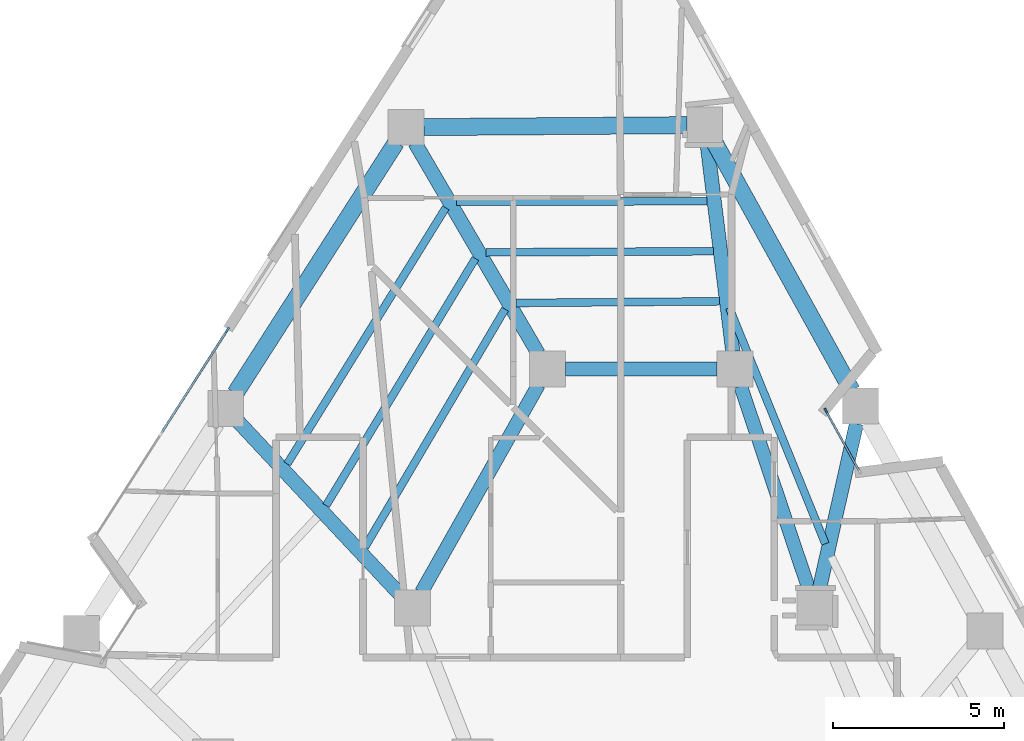
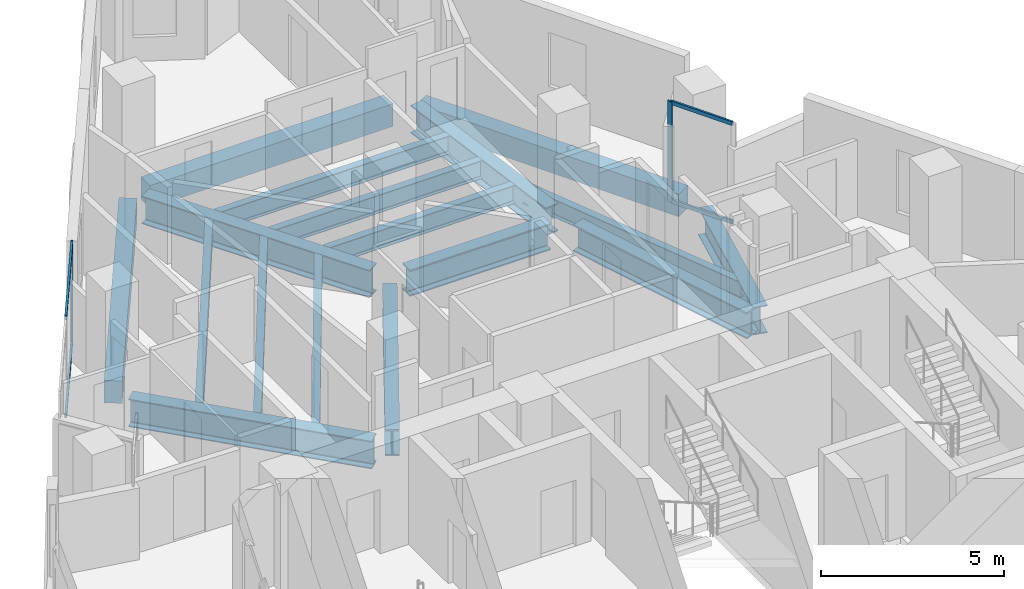
# One storey, part 3 of 11: 17 beams, 6 members, 2 elements without a shape of their own.
"""IFC4 building model written with IfcOpenShell, lengths in metres."""

from ifc_helpers import new_model, si_unit, direction, frame, origin, origin_2d, place, context, subcontext, project, spatial, rectangle, i_section, extrude, material, layer, layer_set, material_profile, profile_set, type_object, element, aggregate, save


model = new_model("IFC4")

# Units and contexts
model_context = context("Model", 3, precision=1e-05, world=origin(), true_north=direction((0.0, 1.0)))
body_context = subcontext(model_context, "Body", "Model", "MODEL_VIEW")
ifc_project = project(units=[si_unit("LENGTHUNIT", "METRE"), si_unit("AREAUNIT", "SQUARE_METRE"), si_unit("VOLUMEUNIT", "CUBIC_METRE"), si_unit("PLANEANGLEUNIT", "RADIAN"), si_unit("MASSUNIT", "GRAM", prefix="KILO")], contexts=[model_context])

# Site, building, storey
site_placement = place(None, origin())
site = spatial("IfcSite", under=ifc_project, at=site_placement, CompositionType="ELEMENT")
building_placement = place(site_placement, origin())
building = spatial("IfcBuilding", under=site, at=building_placement, Name="Almagre Mirador Tower", CompositionType="ELEMENT")
storey_placement = place(building_placement, frame((0.0, 0.0, 168.0)))
storey = spatial("IfcBuildingStorey", under=building, at=storey_placement, Name="L43", CompositionType="ELEMENT", Elevation=168.0)

# Beams
ifc_material_1 = material(Name="Steel ASTM A992 Grade 50", Category="steel")
ifc_material_profile_1 = material_profile(ifc_material_1, i_section(OverallWidth=0.22802734375, OverallDepth=0.60791015625, WebThickness=0.01123046875, FlangeThickness=0.017333984375, FilletRadius=0.02001953125, at=origin_2d()), Name="W24X76")
ifc_profile_set_1 = profile_set([ifc_material_profile_1], Name="Steel ASTM A992 Grade 50")
beam_type_1 = type_object("IfcBeamType", Name="BM-JST-W24X76", PredefinedType="JOIST", material=ifc_profile_set_1)
beam_1_placement = place(storey_placement, frame((45.4990234375, 21.07958984375, -0.553955078125), z_axis=(-0.377145237856, 0.926154128406, 0.0), x_axis=(-0.926154128406, -0.377145237856, 0.0)))
element("IfcBeam", 1, at=beam_1_placement, inside=storey, type_object=beam_type_1, Name="L43 secondary floor joist PC07-PC08.3", PredefinedType="JOIST", context=body_context, shape_type="SweptSolid", body=[
    extrude(i_section(OverallWidth=0.22802734375, OverallDepth=0.60791015625, WebThickness=0.01123046875, FlangeThickness=0.017333984375, FilletRadius=0.02001953125, at=origin_2d()), origin(), (0.0, 0.0, 1.0), 7.46630859375),
])
beam_2_placement = place(storey_placement, frame((42.032958984375, 31.121826171875, -0.553955078125), z_axis=(-0.999997444767, -0.002260632521, 0.0), x_axis=(0.002260632521, -0.999997444767, 0.0)))
element("IfcBeam", 2, at=beam_2_placement, inside=storey, type_object=beam_type_1, Name="L43 secondary floor joist PC08-PC09.1", PredefinedType="JOIST", context=body_context, shape_type="SweptSolid", body=[
    extrude(i_section(OverallWidth=0.22802734375, OverallDepth=0.60791015625, WebThickness=0.01123046875, FlangeThickness=0.017333984375, FilletRadius=0.02001953125, at=origin_2d()), origin(), (0.0, 0.0, 1.0), 7.34375),
])
beam_3_placement = place(storey_placement, frame((42.214111328125, 29.654296875, -0.553955078125), z_axis=(-0.999988103405, -0.004877811845, 0.0), x_axis=(0.004877811845, -0.999988103405, 0.0)))
element("IfcBeam", 3, at=beam_3_placement, inside=storey, type_object=beam_type_1, Name="L43 secondary floor joist PC08-PC09.2", PredefinedType="JOIST", context=body_context, shape_type="SweptSolid", body=[
    extrude(i_section(OverallWidth=0.22802734375, OverallDepth=0.60791015625, WebThickness=0.01123046875, FlangeThickness=0.017333984375, FilletRadius=0.02001953125, at=origin_2d()), origin(), (0.0, 0.0, 1.0), 6.65673828125),
])
beam_4_placement = place(storey_placement, frame((42.3955078125, 28.186279296875, -0.553955078125), z_axis=(-0.999968205338, -0.007974228113, 0.0), x_axis=(0.007974228113, -0.999968205338, 0.0)))
element("IfcBeam", 4, at=beam_4_placement, inside=storey, type_object=beam_type_1, Name="L43 secondary floor joist PC08-PC09.3", PredefinedType="JOIST", context=body_context, shape_type="SweptSolid", body=[
    extrude(i_section(OverallWidth=0.22802734375, OverallDepth=0.60791015625, WebThickness=0.01123046875, FlangeThickness=0.017333984375, FilletRadius=0.02001953125, at=origin_2d()), origin(), (0.0, 0.0, 1.0), 5.97021484375),
])
beam_5_placement = place(storey_placement, frame((34.3701171875, 30.927001953125, -0.553955078125), z_axis=(-0.526297490508, -0.850300506577, 0.0), x_axis=(0.850300506577, -0.526297490508, 0.0)))
element("IfcBeam", 5, at=beam_5_placement, inside=storey, type_object=beam_type_1, Name="L43 secondary floor joist PC09-PC10.1", PredefinedType="JOIST", context=body_context, shape_type="SweptSolid", body=[
    extrude(i_section(OverallWidth=0.22802734375, OverallDepth=0.60791015625, WebThickness=0.01123046875, FlangeThickness=0.017333984375, FilletRadius=0.02001953125, at=origin_2d()), origin(), (0.0, 0.0, 1.0), 8.828125),
])
beam_6_placement = place(storey_placement, frame((35.240234375, 29.44189453125, -0.553955078125), z_axis=(-0.5172600995, -0.855828247644, 0.0), x_axis=(0.855828247644, -0.5172600995, 0.0)))
element("IfcBeam", 6, at=beam_6_placement, inside=storey, type_object=beam_type_1, Name="L43 secondary floor joist PC09-PC10.2", PredefinedType="JOIST", context=body_context, shape_type="SweptSolid", body=[
    extrude(i_section(OverallWidth=0.22802734375, OverallDepth=0.60791015625, WebThickness=0.01123046875, FlangeThickness=0.017333984375, FilletRadius=0.02001953125, at=origin_2d()), origin(), (0.0, 0.0, 1.0), 8.4599609375),
])
beam_7_placement = place(storey_placement, frame((36.110595703125, 27.956787109375, -0.553955078125), z_axis=(-0.507370781605, -0.861727851455, 0.0), x_axis=(0.861727851455, -0.507370781605, 0.0)))
element("IfcBeam", 7, at=beam_7_placement, inside=storey, type_object=beam_type_1, Name="L43 secondary floor joist PC09-PC10.3", PredefinedType="JOIST", context=body_context, shape_type="SweptSolid", body=[
    extrude(i_section(OverallWidth=0.22802734375, OverallDepth=0.60791015625, WebThickness=0.01123046875, FlangeThickness=0.017333984375, FilletRadius=0.02001953125, at=origin_2d()), origin(), (0.0, 0.0, 1.0), 8.092529296875),
])
ifc_material_2 = material(Name="Precast concrete C50/60", Category="concrete")
ifc_material_profile_2 = material_profile(ifc_material_2, rectangle(XDim=0.5, YDim=0.75, at=origin_2d()), Name="RC500X750")
ifc_profile_set_2 = profile_set([ifc_material_profile_2], Name="Precast concrete C50/60")
beam_type_2 = type_object("IfcBeamType", Name="BM-SPN-RC500X750", PredefinedType="SPANDREL", material=ifc_profile_set_2)
beam_8_placement = place(storey_placement, frame((46.271728515625, 25.574462890625, -0.625), z_axis=(-0.484205406649, 0.874954355479, 0.0), x_axis=(-0.874954355479, -0.484205406649, 0.0)))
element("IfcBeam", 8, at=beam_8_placement, inside=storey, type_object=beam_type_2, Name="L43 perimeter spandrel beam PC07-PC08", PredefinedType="SPANDREL", context=body_context, shape_type="SweptSolid", body=[
    extrude(rectangle(XDim=0.5, YDim=0.75, at=origin_2d()), origin(), (0.0, 0.0, 1.0), 8.367431640625),
])
beam_9_placement = place(storey_placement, frame((41.44091796875, 33.35107421875, -0.625), z_axis=(-0.999971631183, -0.007532385372, 0.0), x_axis=(0.007532385372, -0.999971631183, 0.0)))
element("IfcBeam", 9, at=beam_9_placement, inside=storey, type_object=beam_type_2, Name="L43 perimeter spandrel beam PC08-PC09", PredefinedType="SPANDREL", context=body_context, shape_type="SweptSolid", body=[
    extrude(rectangle(XDim=0.5, YDim=0.75, at=origin_2d()), origin(), (0.0, 0.0, 1.0), 7.714111328125),
])
beam_10_placement = place(storey_placement, frame((32.918701171875, 32.846923828125, -0.625), z_axis=(-0.539525433851, -0.841969302426, 0.0), x_axis=(0.841969302426, -0.539525433851, 0.0)))
element("IfcBeam", 10, at=beam_10_placement, inside=storey, type_object=beam_type_2, Name="L43 perimeter spandrel beam PC09-PC10", PredefinedType="SPANDREL", context=body_context, shape_type="SweptSolid", body=[
    extrude(rectangle(XDim=0.5, YDim=0.75, at=origin_2d()), origin(), (0.0, 0.0, 1.0), 8.736572265625),
])
ifc_material_3 = material(Name="Steel ASTM A992 Grade 50", Category="steel")
ifc_material_profile_3 = material_profile(ifc_material_3, i_section(OverallWidth=0.404052734375, OverallDepth=0.884033203125, WebThickness=0.0244140625, FlangeThickness=0.0439453125, FilletRadius=0.02490234375, at=origin_2d()), Name="W33X291")
ifc_profile_set_3 = profile_set([ifc_material_profile_3], Name="Steel ASTM A992 Grade 50")
beam_type_3 = type_object("IfcBeamType", Name="BM-STL-W33X291", PredefinedType="BEAM", material=ifc_profile_set_3)
beam_11_placement = place(storey_placement, frame((37.875, 26.199951171875, -0.69189453125), z_axis=(1.0, 0.0, 0.0), x_axis=(0.0, 1.0, 0.0)))
element("IfcBeam", 11, at=beam_11_placement, inside=storey, type_object=beam_type_3, Name="L43 core tie girder MC7-MC6", PredefinedType="BEAM", context=body_context, shape_type="SweptSolid", body=[
    extrude(i_section(OverallWidth=0.404052734375, OverallDepth=0.884033203125, WebThickness=0.0244140625, FlangeThickness=0.0439453125, FilletRadius=0.02490234375, at=origin_2d()), origin(), (0.0, 0.0, 1.0), 4.449951171875),
])
beam_12_placement = place(storey_placement, frame((43.01708984375, 25.702392578125, -0.69189453125), z_axis=(0.318262189587, -0.948002731367, 0.0), x_axis=(0.948002731367, 0.318262189587, 0.0)))
element("IfcBeam", 12, at=beam_12_placement, inside=storey, type_object=beam_type_3, Name="L43 core tie girder MC6-MC5", PredefinedType="BEAM", context=body_context, shape_type="SweptSolid", body=[
    extrude(i_section(OverallWidth=0.404052734375, OverallDepth=0.884033203125, WebThickness=0.0244140625, FlangeThickness=0.0439453125, FilletRadius=0.02490234375, at=origin_2d()), origin(), (0.0, 0.0, 1.0), 6.333984375),
])
beam_13_placement = place(storey_placement, frame((37.092041015625, 25.742919921875, -0.69189453125), z_axis=(-0.491443510044, -0.870909453638, 0.0), x_axis=(0.870909453638, -0.491443510044, 0.0)))
element("IfcBeam", 13, at=beam_13_placement, inside=storey, type_object=beam_type_3, Name="L43 core tie girder MC7-MC8", PredefinedType="BEAM", context=body_context, shape_type="SweptSolid", body=[
    extrude(i_section(OverallWidth=0.404052734375, OverallDepth=0.884033203125, WebThickness=0.0244140625, FlangeThickness=0.0439453125, FilletRadius=0.02490234375, at=origin_2d()), origin(), (0.0, 0.0, 1.0), 6.98779296875),
])
ifc_material_4 = material(Name="Steel ASTM A992 Grade 50", Category="steel")
ifc_material_profile_4 = material_profile(ifc_material_4, i_section(OverallWidth=0.41796875, OverallDepth=0.927001953125, WebThickness=0.019287109375, FlangeThickness=0.031982421875, FilletRadius=0.028076171875, at=origin_2d()), Name="W36X231")
ifc_profile_set_4 = profile_set([ifc_material_profile_4], Name="Steel ASTM A992 Grade 50")
beam_type_4 = type_object("IfcBeamType", Name="BM-STL-W36X231", PredefinedType="BEAM", material=ifc_profile_set_4)
beam_14_placement = place(storey_placement, frame((46.4111328125, 24.602783203125, -0.71337890625), z_axis=(-0.21877143467, -0.975776131791, 0.0), x_axis=(0.975776131791, -0.21877143467, 0.0)))
element("IfcBeam", 14, at=beam_14_placement, inside=storey, type_object=beam_type_4, Name="L43 radial floor girder PC07-MC5", PredefinedType="BEAM", context=body_context, shape_type="SweptSolid", body=[
    extrude(i_section(OverallWidth=0.41796875, OverallDepth=0.927001953125, WebThickness=0.019287109375, FlangeThickness=0.031982421875, FilletRadius=0.028076171875, at=origin_2d()), origin(), (0.0, 0.0, 1.0), 5.01171875),
])
beam_15_placement = place(storey_placement, frame((42.030517578125, 32.833984375, -0.71337890625), z_axis=(0.122595496619, -0.99245672158, 0.0), x_axis=(0.99245672158, 0.122595496619, 0.0)))
element("IfcBeam", 15, at=beam_15_placement, inside=storey, type_object=beam_type_4, Name="L43 radial floor girder PC08-MC6", PredefinedType="BEAM", context=body_context, shape_type="SweptSolid", body=[
    extrude(i_section(OverallWidth=0.41796875, OverallDepth=0.927001953125, WebThickness=0.019287109375, FlangeThickness=0.031982421875, FilletRadius=0.028076171875, at=origin_2d()), origin(), (0.0, 0.0, 1.0), 6.159423828125),
])
beam_16_placement = place(storey_placement, frame((33.467041015625, 32.8359375, -0.71337890625), z_axis=(0.50504237399, -0.863094548977, 0.0), x_axis=(0.863094548977, 0.50504237399, 0.0)))
element("IfcBeam", 16, at=beam_16_placement, inside=storey, type_object=beam_type_4, Name="L43 radial floor girder PC09-MC7", PredefinedType="BEAM", context=body_context, shape_type="SweptSolid", body=[
    extrude(i_section(OverallWidth=0.41796875, OverallDepth=0.927001953125, WebThickness=0.019287109375, FlangeThickness=0.031982421875, FilletRadius=0.028076171875, at=origin_2d()), origin(), (0.0, 0.0, 1.0), 7.16357421875),
])
beam_17_placement = place(storey_placement, frame((28.281005859375, 24.665771484375, -0.71337890625), z_axis=(0.683570174234, -0.729884797004, 0.0), x_axis=(0.729884797004, 0.683570174234, 0.0)))
element("IfcBeam", 17, at=beam_17_placement, inside=storey, type_object=beam_type_4, Name="L43 radial floor girder PC10-MC8", PredefinedType="BEAM", context=body_context, shape_type="SweptSolid", body=[
    extrude(i_section(OverallWidth=0.41796875, OverallDepth=0.927001953125, WebThickness=0.019287109375, FlangeThickness=0.031982421875, FilletRadius=0.028076171875, at=origin_2d()), origin(), (0.0, 0.0, 1.0), 6.96337890625),
])

# Curtain wall, member
ifc_material_5 = material(Name="Black anodized aluminium", Category="aluminium")
ifc_layer_1 = layer(ifc_material_5, 0.169921875)
ifc_layer_set_1 = layer_set([ifc_layer_1], Name="Black anodized aluminium")
curtain_wall_type_1 = type_object("IfcCurtainWallType", Name="CW-CRS-SYS", PredefinedType="NOTDEFINED", material=ifc_layer_set_1)
curtain_wall_1_placement = place(storey_placement, origin())
curtain_wall_1 = element("IfcCurtainWall", 18, at=curtain_wall_1_placement, inside=storey, type_object=curtain_wall_type_1, Name="L43 vertical crease curtain wall 03", PredefinedType="NOTDEFINED")
ifc_material_6 = material(Name="Black anodized aluminium", Category="aluminium")
ifc_material_profile_5 = material_profile(ifc_material_6, rectangle(XDim=0.06005859375, YDim=0.14990234375, at=origin_2d()), Name="CWM60X150")
ifc_profile_set_5 = profile_set([ifc_material_profile_5], Name="Black anodized aluminium")
member_type_1 = type_object("IfcMemberType", Name="MBR-CWM60X150", PredefinedType="MULLION", material=ifc_profile_set_5)
member_1_placement = place(storey_placement, frame((45.513427734375, 24.982666015625, 0.0), z_axis=(0.0, 0.0, 1.0), x_axis=(0.874878722341, 0.48434204979, 0.0)))
member_1 = element("IfcMember", 19, at=member_1_placement, type_object=member_type_1, Name="CW-4 mullion 1", PredefinedType="MULLION", context=body_context, shape_type="SweptSolid", body=[
    extrude(rectangle(XDim=0.06005859375, YDim=0.14990234375, at=origin_2d()), origin(), (0.0, 0.0, 1.0), 3.35009765625),
])

ifc_material_7 = material(Name="Black anodized aluminium", Category="aluminium")
ifc_layer_2 = layer(ifc_material_7, 0.199951171875)
ifc_layer_set_2 = layer_set([ifc_layer_2], Name="Black anodized aluminium")
curtain_wall_type_2 = type_object("IfcCurtainWallType", Name="CW-RES-H-SYS", PredefinedType="NOTDEFINED", material=ifc_layer_set_2)
curtain_wall_2_placement = place(storey_placement, origin())
curtain_wall_2 = element("IfcCurtainWall", 20, at=curtain_wall_2_placement, inside=storey, type_object=curtain_wall_type_2, Name="L43 curtain wall run 02", PredefinedType="NOTDEFINED")
ifc_material_8 = material(Name="Black anodized aluminium", Category="aluminium")
ifc_material_profile_6 = material_profile(ifc_material_8, rectangle(XDim=0.06494140625, YDim=0.179931640625, at=origin_2d()), Name="CWM65X180")
ifc_profile_set_6 = profile_set([ifc_material_profile_6], Name="Black anodized aluminium")
member_type_2 = type_object("IfcMemberType", Name="MBR-CWM65X180", PredefinedType="MULLION", material=ifc_profile_set_6)
member_2_placement = place(storey_placement, frame((27.968505859375, 27.34521484375, 0.0), z_axis=(0.0, 0.0, 1.0), x_axis=(-0.84195993744, 0.539540048324, 0.0)))
member_2 = element("IfcMember", 21, at=member_2_placement, type_object=member_type_2, Name="CW-3 mullion 3", PredefinedType="MULLION", context=body_context, shape_type="SweptSolid", body=[
    extrude(rectangle(XDim=0.06494140625, YDim=0.179931640625, at=origin_2d()), origin(), (0.0, 0.0, 1.0), 3.35009765625),
])

# Member
ifc_material_9 = material(Name="Black anodized aluminium", Category="aluminium")
ifc_material_profile_7 = material_profile(ifc_material_9, rectangle(XDim=0.06005859375, YDim=0.1298828125, at=origin_2d()), Name="CWT60X130")
ifc_profile_set_7 = profile_set([ifc_material_profile_7], Name="Black anodized aluminium")
member_type_3 = type_object("IfcMemberType", Name="MBR-CWT60X130", PredefinedType="USERDEFINED", material=ifc_profile_set_7)
member_3_placement = place(storey_placement, frame((45.528076171875, 24.95654296875, 0.030029296875), z_axis=(0.484305716998, -0.874898835571, 0.0), x_axis=(0.874898835571, 0.484305716998, 0.0)))
member_3 = element("IfcMember", 22, at=member_3_placement, type_object=member_type_3, Name="CW-4 transom 1.1", ObjectType="TRANSOM", PredefinedType="USERDEFINED", context=body_context, shape_type="SweptSolid", body=[
    extrude(rectangle(XDim=0.06005859375, YDim=0.1298828125, at=origin_2d()), origin(), (0.0, 0.0, 1.0), 1.969482421875),
])

member_4_placement = place(storey_placement, frame((45.528076171875, 24.95654296875, 3.320068359375), z_axis=(0.484305716998, -0.874898835571, 0.0), x_axis=(0.874898835571, 0.484305716998, 0.0)))
member_4 = element("IfcMember", 23, at=member_4_placement, type_object=member_type_3, Name="CW-4 transom 1.2", ObjectType="TRANSOM", PredefinedType="USERDEFINED", context=body_context, shape_type="SweptSolid", body=[
    extrude(rectangle(XDim=0.06005859375, YDim=0.1298828125, at=origin_2d()), origin(), (0.0, 0.0, 1.0), 1.969482421875),
])

aggregate(curtain_wall_1, [member_1, member_3, member_4])

ifc_material_10 = material(Name="Black anodized aluminium", Category="aluminium")
ifc_material_profile_8 = material_profile(ifc_material_10, rectangle(XDim=0.06494140625, YDim=0.14990234375, at=origin_2d()), Name="CWT65X150")
ifc_profile_set_8 = profile_set([ifc_material_profile_8], Name="Black anodized aluminium")
member_type_4 = type_object("IfcMemberType", Name="MBR-CWT65X150", PredefinedType="USERDEFINED", material=ifc_profile_set_8)
member_5_placement = place(storey_placement, frame((26.03955078125, 24.335205078125, 0.032470703125), z_axis=(0.539548379525, 0.841954598628, 0.0), x_axis=(-0.841954598628, 0.539548379525, 0.0)))
member_5 = element("IfcMember", 24, at=member_5_placement, type_object=member_type_4, Name="CW-3 transom 2.1", ObjectType="TRANSOM", PredefinedType="USERDEFINED", context=body_context, shape_type="SweptSolid", body=[
    extrude(rectangle(XDim=0.06494140625, YDim=0.14990234375, at=origin_2d()), origin(), (0.0, 0.0, 1.0), 3.54248046875),
])

member_6_placement = place(storey_placement, frame((26.03955078125, 24.335205078125, 3.3173828125), z_axis=(0.539548379525, 0.841954598628, 0.0), x_axis=(-0.841954598628, 0.539548379525, 0.0)))
member_6 = element("IfcMember", 25, at=member_6_placement, type_object=member_type_4, Name="CW-3 transom 2.2", ObjectType="TRANSOM", PredefinedType="USERDEFINED", context=body_context, shape_type="SweptSolid", body=[
    extrude(rectangle(XDim=0.06494140625, YDim=0.14990234375, at=origin_2d()), origin(), (0.0, 0.0, 1.0), 3.54248046875),
])

aggregate(curtain_wall_2, [member_2, member_5, member_6])

save(model, "model.ifc")
